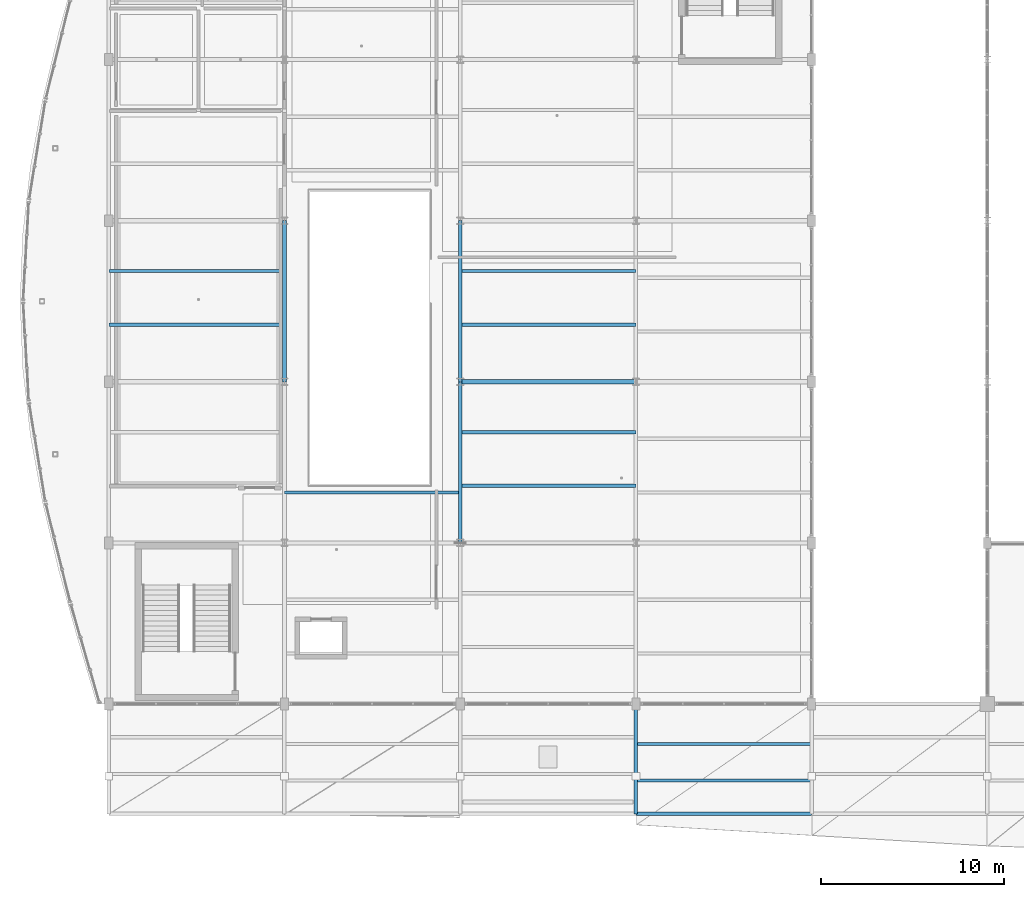
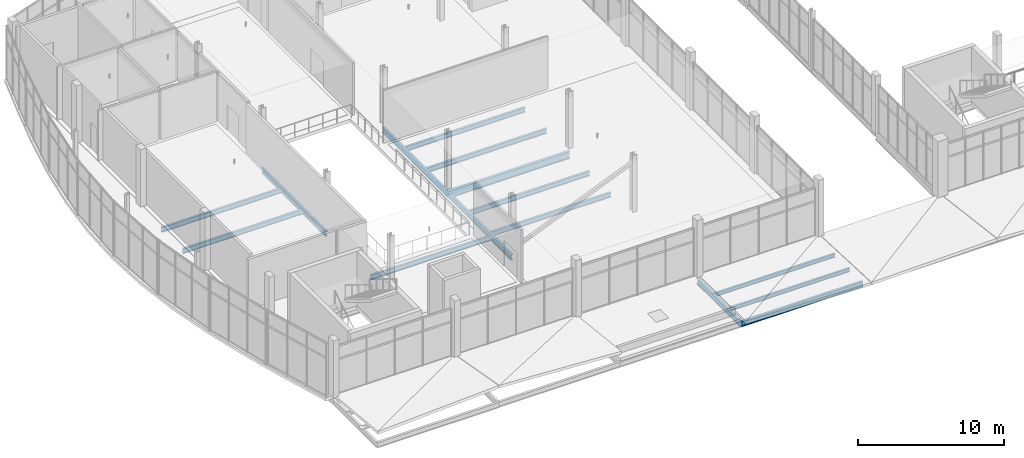
# One storey, part 23 of 157: 15 beams.
"""IFC4 building model written with IfcOpenShell, lengths in metres."""

from ifc_helpers import new_model, si_unit, direction, frame, origin, origin_2d, place, context, subcontext, project, spatial, i_section, extrude, material, material_profile, profile_set, type_object, element, save


model = new_model("IFC4")

# Units and contexts
model_context = context("Model", 3, precision=1e-05, world=origin(), true_north=direction((0.0, 1.0)))
body_context = subcontext(model_context, "Body", "Model", "MODEL_VIEW")
ifc_project = project(units=[si_unit("LENGTHUNIT", "METRE"), si_unit("AREAUNIT", "SQUARE_METRE"), si_unit("VOLUMEUNIT", "CUBIC_METRE"), si_unit("PLANEANGLEUNIT", "RADIAN"), si_unit("MASSUNIT", "GRAM", prefix="KILO")], contexts=[model_context])

# Site, building, storey
site_placement = place(None, origin())
site = spatial("IfcSite", under=ifc_project, at=site_placement, CompositionType="ELEMENT")
building_placement = place(site_placement, origin())
building = spatial("IfcBuilding", under=site, at=building_placement, Name="Chalmorin Arch Market", CompositionType="ELEMENT")
storey_placement = place(building_placement, frame((0.0, 0.0, 4.800048828125)))
storey = spatial("IfcBuildingStorey", under=building, at=storey_placement, Name="L01", CompositionType="ELEMENT", Elevation=4.800048828125)

# Beams
ifc_material = material(Name="Steel A992 Grade 50", Category="steel")
ifc_material_profile_1 = material_profile(ifc_material, i_section(OverallWidth=0.19091796875, OverallDepth=0.45703125, WebThickness=0.009033203125, FlangeThickness=0.014404296875, FilletRadius=0.02001953125, at=origin_2d()), Name="W18X50")
ifc_profile_set_1 = profile_set([ifc_material_profile_1], Name="Steel A992 Grade 50")
beam_type_1 = type_object("IfcBeamType", Name="FloorSteelBeam-W18X50", PredefinedType="BEAM", material=ifc_profile_set_1)
beam_1_placement = place(storey_placement, frame((28.800048828125, 0.0, -0.510498046875), z_axis=(0.0, 1.0, 0.0), x_axis=(-1.0, 0.0, 0.0)))
element("IfcBeam", 1, at=beam_1_placement, inside=storey, type_object=beam_type_1, Name="BM-W18B-1030", PredefinedType="BEAM", context=body_context, shape_type="SweptSolid", body=[
    extrude(i_section(OverallWidth=0.19091796875, OverallDepth=0.45703125, WebThickness=0.009033203125, FlangeThickness=0.014404296875, FilletRadius=0.02001953125, at=origin_2d()), origin(), (0.0, 0.0, 1.0), 6.0),
])
ifc_material_profile_2 = material_profile(ifc_material, i_section(OverallWidth=0.193115234375, OverallDepth=0.466064453125, WebThickness=0.011474609375, FlangeThickness=0.01904296875, FilletRadius=0.02001953125, at=origin_2d()), Name="W18X65")
ifc_profile_set_2 = profile_set([ifc_material_profile_2], Name="Steel A992 Grade 50")
beam_type_2 = type_object("IfcBeamType", Name="FloorSteelBeam-W18X65", PredefinedType="BEAM", material=ifc_profile_set_2)
beam_2_placement = place(storey_placement, frame((9.60009765625, 23.60009765625, -0.51513671875), z_axis=(0.0, 1.0, 0.0), x_axis=(-1.0, 0.0, 0.0)))
element("IfcBeam", 2, at=beam_2_placement, inside=storey, type_object=beam_type_2, Name="BM-W18A-0807", PredefinedType="BEAM", context=body_context, shape_type="SweptSolid", body=[
    extrude(i_section(OverallWidth=0.193115234375, OverallDepth=0.466064453125, WebThickness=0.011474609375, FlangeThickness=0.01904296875, FilletRadius=0.02001953125, at=origin_2d()), origin(), (0.0, 0.0, 1.0), 8.7998046875),
])
beam_3_placement = place(storey_placement, frame((19.199951171875, 14.800048828125, -0.51513671875), z_axis=(0.0, 1.0, 0.0), x_axis=(-1.0, 0.0, 0.0)))
element("IfcBeam", 3, at=beam_3_placement, inside=storey, type_object=beam_type_2, Name="BM-W18A-0817", PredefinedType="BEAM", context=body_context, shape_type="SweptSolid", body=[
    extrude(i_section(OverallWidth=0.193115234375, OverallDepth=0.466064453125, WebThickness=0.011474609375, FlangeThickness=0.01904296875, FilletRadius=0.02001953125, at=origin_2d()), origin(), (0.0, 0.0, 1.0), 8.800048828125),
])
beam_4_placement = place(storey_placement, frame((19.199951171875, 23.60009765625, -0.51513671875), z_axis=(0.0, 1.0, 0.0), x_axis=(-1.0, 0.0, 0.0)))
element("IfcBeam", 4, at=beam_4_placement, inside=storey, type_object=beam_type_2, Name="BM-W18A-0818", PredefinedType="BEAM", context=body_context, shape_type="SweptSolid", body=[
    extrude(i_section(OverallWidth=0.193115234375, OverallDepth=0.466064453125, WebThickness=0.011474609375, FlangeThickness=0.01904296875, FilletRadius=0.02001953125, at=origin_2d()), origin(), (0.0, 0.0, 1.0), 8.7998046875),
])
ifc_material_profile_3 = material_profile(ifc_material, i_section(OverallWidth=0.19091796875, OverallDepth=0.45703125, WebThickness=0.009033203125, FlangeThickness=0.014404296875, FilletRadius=0.02001953125, at=origin_2d()), Name="W18X50")
ifc_profile_set_3 = profile_set([ifc_material_profile_3], Name="Steel A992 Grade 50")
beam_type_3 = type_object("IfcBeamType", Name="PerimeterSpandrelBeam-W18X50", PredefinedType="SPANDREL", material=ifc_profile_set_3)
beam_5_placement = place(storey_placement, frame((28.800048828125, 0.0, -0.450439453125), z_axis=(1.0, 0.0, 0.0), x_axis=(0.0, 1.0, 0.0)))
element("IfcBeam", 5, at=beam_5_placement, inside=storey, type_object=beam_type_3, Name="SP-W18-1031", PredefinedType="SPANDREL", context=body_context, shape_type="SweptSolid", body=[
    extrude(i_section(OverallWidth=0.19091796875, OverallDepth=0.45703125, WebThickness=0.009033203125, FlangeThickness=0.014404296875, FilletRadius=0.02001953125, at=origin_2d()), origin(), (0.0, 0.0, 1.0), 9.599853515625),
])
ifc_material_profile_4 = material_profile(ifc_material, i_section(OverallWidth=0.22802734375, OverallDepth=0.60791015625, WebThickness=0.01123046875, FlangeThickness=0.017333984375, FilletRadius=0.02392578125, at=origin_2d()), Name="W24X76")
ifc_profile_set_4 = profile_set([ifc_material_profile_4], Name="Steel A992 Grade 50")
beam_type_4 = type_object("IfcBeamType", Name="PrimarySteelGirder-W24X76", PredefinedType="BEAM", material=ifc_profile_set_4)
beam_6_placement = place(storey_placement, frame((19.199951171875, 23.60009765625, -0.5859375), z_axis=(1.0, 0.0, 0.0), x_axis=(0.0, 1.0, 0.0)))
element("IfcBeam", 6, at=beam_6_placement, inside=storey, type_object=beam_type_4, Name="BG-W24B-0826", PredefinedType="BEAM", context=body_context, shape_type="SweptSolid", body=[
    extrude(i_section(OverallWidth=0.22802734375, OverallDepth=0.60791015625, WebThickness=0.01123046875, FlangeThickness=0.017333984375, FilletRadius=0.02392578125, at=origin_2d()), origin(), (0.0, 0.0, 1.0), 9.60009765625),
])
ifc_material_profile_5 = material_profile(ifc_material, i_section(OverallWidth=0.177978515625, OverallDepth=0.403076171875, WebThickness=0.007568359375, FlangeThickness=0.010986328125, FilletRadius=0.01806640625, at=origin_2d()), Name="W16X36")
ifc_profile_set_5 = profile_set([ifc_material_profile_5], Name="Steel A992 Grade 50")
beam_type_5 = type_object("IfcBeamType", Name="SecondaryFloorJoist-W16X36", PredefinedType="JOIST", material=ifc_profile_set_5)
for number, where, z_axis, x_axis, name in (
    (7, (0.0, 26.71337890625, -0.483642578125), (1.0, 0.0, 0.0), (0.0, 1.0, 0.0), "BJ-W16B-0847"),
    (8, (0.0, 29.646728515625, -0.483642578125), (1.0, 0.0, 0.0), (0.0, 1.0, 0.0), "BJ-W16B-0848"),
):
    element("IfcBeam", number, at=place(storey_placement, frame(where, z_axis=z_axis, x_axis=x_axis)), inside=storey, type_object=beam_type_5, Name=name, PredefinedType="JOIST", context=body_context, shape_type="SweptSolid", body=[
        extrude(i_section(OverallWidth=0.177978515625, OverallDepth=0.403076171875, WebThickness=0.007568359375, FlangeThickness=0.010986328125, FilletRadius=0.01806640625, at=origin_2d()), origin(), (0.0, 0.0, 1.0), 9.60009765625),
    ])
beam_7_placement = place(storey_placement, frame((9.60009765625, 17.55322265625, -0.483642578125), z_axis=(1.0, 0.0, 0.0), x_axis=(0.0, 1.0, 0.0)))
element("IfcBeam", 9, at=beam_7_placement, inside=storey, type_object=beam_type_5, Name="BJ-W16B-0855", PredefinedType="JOIST", context=body_context, shape_type="SweptSolid", body=[
    extrude(i_section(OverallWidth=0.177978515625, OverallDepth=0.403076171875, WebThickness=0.007568359375, FlangeThickness=0.010986328125, FilletRadius=0.01806640625, at=origin_2d()), origin(), (0.0, 0.0, 1.0), 9.599853515625),
])
for number, where, z_axis, x_axis, name in (
    (10, (19.199951171875, 17.913330078125, -0.483642578125), (1.0, 0.0, 0.0), (0.0, 1.0, 0.0), "BJ-W16B-0862"),
    (11, (19.199951171875, 20.8466796875, -0.483642578125), (1.0, 0.0, 0.0), (0.0, 1.0, 0.0), "BJ-W16B-0863"),
    (12, (19.199951171875, 26.71337890625, -0.483642578125), (1.0, 0.0, 0.0), (0.0, 1.0, 0.0), "BJ-W16B-0864"),
    (13, (19.199951171875, 29.646728515625, -0.483642578125), (1.0, 0.0, 0.0), (0.0, 1.0, 0.0), "BJ-W16B-0865"),
):
    element("IfcBeam", number, at=place(storey_placement, frame(where, z_axis=z_axis, x_axis=x_axis)), inside=storey, type_object=beam_type_5, Name=name, PredefinedType="JOIST", context=body_context, shape_type="SweptSolid", body=[
        extrude(i_section(OverallWidth=0.177978515625, OverallDepth=0.403076171875, WebThickness=0.007568359375, FlangeThickness=0.010986328125, FilletRadius=0.01806640625, at=origin_2d()), origin(), (0.0, 0.0, 1.0), 9.60009765625),
    ])
ifc_material_profile_6 = material_profile(ifc_material, i_section(OverallWidth=0.1650390625, OverallDepth=0.31005859375, WebThickness=0.005859375, FlangeThickness=0.009765625, FilletRadius=0.014892578125, at=origin_2d()), Name="W12X26")
ifc_profile_set_6 = profile_set([ifc_material_profile_6], Name="Steel A992 Grade 50")
beam_type_6 = type_object("IfcBeamType", Name="SecondaryRoofJoist-W12X26", PredefinedType="JOIST", material=ifc_profile_set_6)
for number, where, z_axis, x_axis, name in (
    (14, (28.800048828125, 1.820068359375, -0.376953125), (1.0, 0.0, 0.0), (0.0, 1.0, 0.0), "BJ-W12-1058"),
    (15, (28.800048828125, 3.820068359375, -0.376953125), (1.0, 0.0, 0.0), (0.0, 1.0, 0.0), "BJ-W12-1059"),
):
    element("IfcBeam", number, at=place(storey_placement, frame(where, z_axis=z_axis, x_axis=x_axis)), inside=storey, type_object=beam_type_6, Name=name, PredefinedType="JOIST", context=body_context, shape_type="SweptSolid", body=[
        extrude(i_section(OverallWidth=0.1650390625, OverallDepth=0.31005859375, WebThickness=0.005859375, FlangeThickness=0.009765625, FilletRadius=0.014892578125, at=origin_2d()), origin(), (0.0, 0.0, 1.0), 9.599853515625),
    ])

save(model, "model.ifc")
